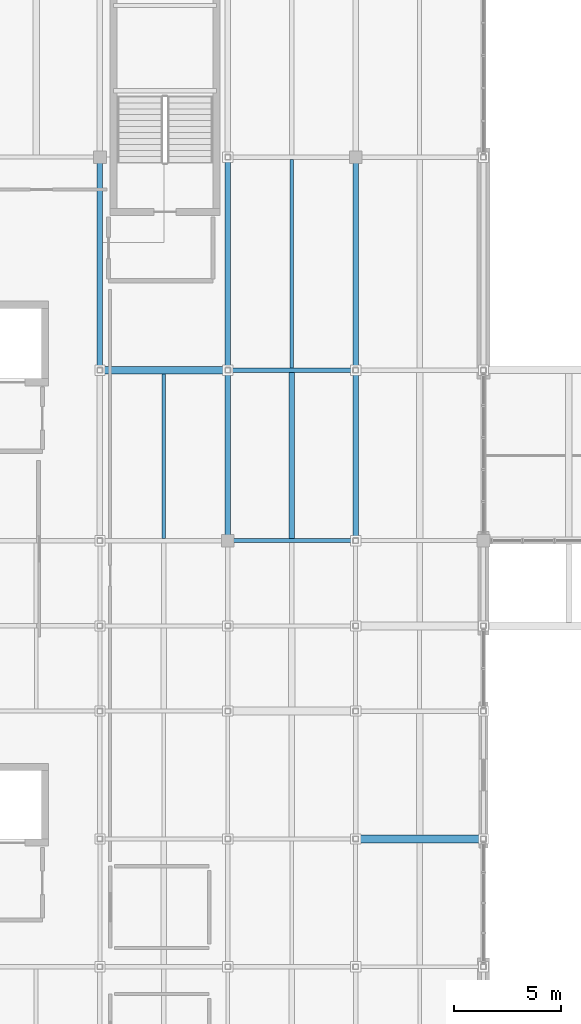
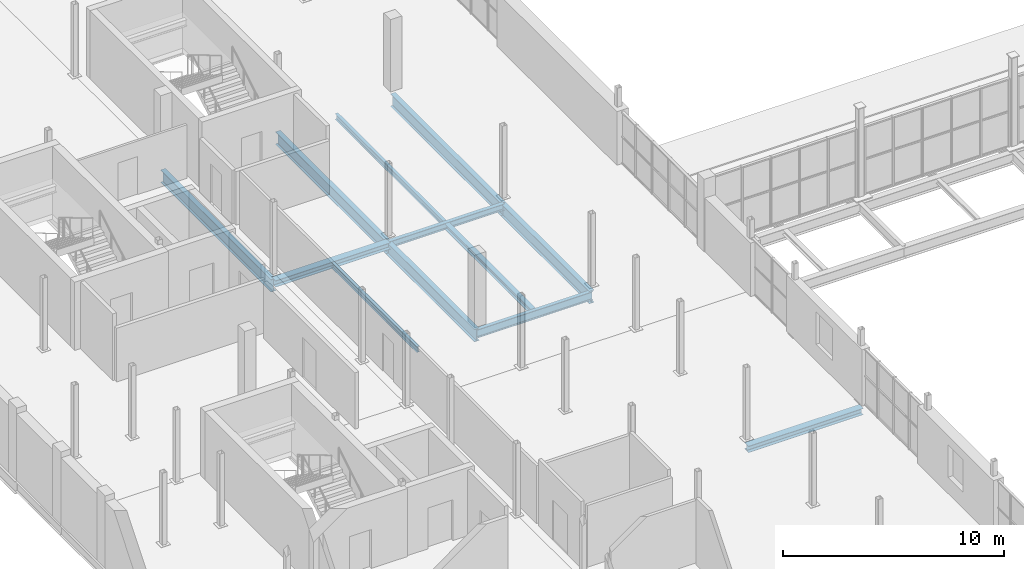
# One storey, part 29 of 96: 12 beams.
"""IFC4 building model written with IfcOpenShell, lengths in metres."""

from ifc_helpers import new_model, si_unit, direction, frame, origin, origin_2d, place, context, subcontext, project, spatial, i_section, extrude, material, material_profile, profile_set, type_object, element, save


model = new_model("IFC4")

# Units and contexts
model_context = context("Model", 3, precision=1e-05, world=origin(), true_north=direction((0.0, 1.0)))
body_context = subcontext(model_context, "Body", "Model", "MODEL_VIEW")
ifc_project = project(units=[si_unit("LENGTHUNIT", "METRE"), si_unit("AREAUNIT", "SQUARE_METRE"), si_unit("VOLUMEUNIT", "CUBIC_METRE"), si_unit("PLANEANGLEUNIT", "RADIAN"), si_unit("MASSUNIT", "GRAM", prefix="KILO")], contexts=[model_context])

# Site, building, storey
site_placement = place(None, origin())
site = spatial("IfcSite", under=ifc_project, at=site_placement, CompositionType="ELEMENT")
building_placement = place(site_placement, origin())
building = spatial("IfcBuilding", under=site, at=building_placement, Name="Verrall Gate Interchange", CompositionType="ELEMENT")
storey_placement = place(building_placement, frame((0.0, 0.0, 11.39990234375)))
storey = spatial("IfcBuildingStorey", under=building, at=storey_placement, Name="L03", CompositionType="ELEMENT", Elevation=11.39990234375)

# Beams
ifc_material_1 = material(Name="Structural Steel CSA G40.21 350WT Cat 4", Category="steel")
ifc_material_profile_1 = material_profile(ifc_material_1, i_section(OverallWidth=0.256103515625, OverallDepth=0.693115234375, WebThickness=0.01318359375, FlangeThickness=0.02001953125, FilletRadius=0.01611328125, at=origin_2d()), Name="W690x170")
ifc_profile_set_1 = profile_set([ifc_material_profile_1], Name="Structural Steel CSA G40.21 350WT Cat 4")
beam_type_1 = type_object("IfcBeamType", Name="B-07 Structural Beam W690x170", PredefinedType="BEAM", material=ifc_profile_set_1)
beam_1_placement = place(storey_placement, frame((18.0, 56.0, -0.676513671875), z_axis=(0.0, 1.0, 0.0), x_axis=(-1.0, 0.0, 0.0)))
element("IfcBeam", 1, at=beam_1_placement, inside=storey, type_object=beam_type_1, Name="L03 Girder BM-L03-2226 (B-07)", PredefinedType="BEAM", context=body_context, shape_type="SweptSolid", body=[
    extrude(i_section(OverallWidth=0.256103515625, OverallDepth=0.693115234375, WebThickness=0.01318359375, FlangeThickness=0.02001953125, FilletRadius=0.01611328125, at=origin_2d()), origin(), (0.0, 0.0, 1.0), 10.0),
])
beam_2_placement = place(storey_placement, frame((24.0, 48.0, -0.676513671875), z_axis=(0.0, 1.0, 0.0), x_axis=(-1.0, 0.0, 0.0)))
element("IfcBeam", 2, at=beam_2_placement, inside=storey, type_object=beam_type_1, Name="L03 Girder BM-L03-2239 (B-07)", PredefinedType="BEAM", context=body_context, shape_type="SweptSolid", body=[
    extrude(i_section(OverallWidth=0.256103515625, OverallDepth=0.693115234375, WebThickness=0.01318359375, FlangeThickness=0.02001953125, FilletRadius=0.01611328125, at=origin_2d()), origin(), (0.0, 0.0, 1.0), 8.0),
])
beam_3_placement = place(storey_placement, frame((24.0, 56.0, -0.676513671875), z_axis=(0.0, 1.0, 0.0), x_axis=(-1.0, 0.0, 0.0)))
element("IfcBeam", 3, at=beam_3_placement, inside=storey, type_object=beam_type_1, Name="L03 Girder BM-L03-2240 (B-07)", PredefinedType="BEAM", context=body_context, shape_type="SweptSolid", body=[
    extrude(i_section(OverallWidth=0.256103515625, OverallDepth=0.693115234375, WebThickness=0.01318359375, FlangeThickness=0.02001953125, FilletRadius=0.01611328125, at=origin_2d()), origin(), (0.0, 0.0, 1.0), 10.0),
])
beam_4_placement = place(storey_placement, frame((30.0, 48.0, -0.676513671875), z_axis=(0.0, 1.0, 0.0), x_axis=(-1.0, 0.0, 0.0)))
element("IfcBeam", 4, at=beam_4_placement, inside=storey, type_object=beam_type_1, Name="L03 Girder BM-L03-2253 (B-07)", PredefinedType="BEAM", context=body_context, shape_type="SweptSolid", body=[
    extrude(i_section(OverallWidth=0.256103515625, OverallDepth=0.693115234375, WebThickness=0.01318359375, FlangeThickness=0.02001953125, FilletRadius=0.01611328125, at=origin_2d()), origin(), (0.0, 0.0, 1.0), 8.0),
])
beam_5_placement = place(storey_placement, frame((30.0, 56.0, -0.676513671875), z_axis=(0.0, 1.0, 0.0), x_axis=(-1.0, 0.0, 0.0)))
element("IfcBeam", 5, at=beam_5_placement, inside=storey, type_object=beam_type_1, Name="L03 Girder BM-L03-2254 (B-07)", PredefinedType="BEAM", context=body_context, shape_type="SweptSolid", body=[
    extrude(i_section(OverallWidth=0.256103515625, OverallDepth=0.693115234375, WebThickness=0.01318359375, FlangeThickness=0.02001953125, FilletRadius=0.01611328125, at=origin_2d()), origin(), (0.0, 0.0, 1.0), 10.0),
])
ifc_material_2 = material(Name="Structural Steel CSA G40.21 350W", Category="steel")
ifc_material_profile_2 = material_profile(ifc_material_2, i_section(OverallWidth=0.19189453125, OverallDepth=0.462890625, WebThickness=0.010498046875, FlangeThickness=0.017578125, FilletRadius=0.012939453125, at=origin_2d()), Name="W460x89")
ifc_profile_set_2 = profile_set([ifc_material_profile_2], Name="Structural Steel CSA G40.21 350W")
beam_type_2 = type_object("IfcBeamType", Name="B-11 Structural Beam W460x89", PredefinedType="BEAM", material=ifc_profile_set_2)
beam_6_placement = place(storey_placement, frame((24.0, 48.0, -0.5615234375), z_axis=(1.0, 0.0, 0.0), x_axis=(0.0, 1.0, 0.0)))
element("IfcBeam", 6, at=beam_6_placement, inside=storey, type_object=beam_type_2, Name="L03 Girder BM-L03-2108 (B-11)", PredefinedType="BEAM", context=body_context, shape_type="SweptSolid", body=[
    extrude(i_section(OverallWidth=0.19189453125, OverallDepth=0.462890625, WebThickness=0.010498046875, FlangeThickness=0.017578125, FilletRadius=0.012939453125, at=origin_2d()), origin(), (0.0, 0.0, 1.0), 6.0),
])
ifc_material_3 = material(Name="Structural Steel CSA G40.21 350W", Category="steel")
ifc_material_profile_3 = material_profile(ifc_material_3, i_section(OverallWidth=0.368896484375, OverallDepth=0.35595703125, WebThickness=0.01123046875, FlangeThickness=0.01806640625, FilletRadius=0.014892578125, at=origin_2d()), Name="W360x134")
ifc_profile_set_3 = profile_set([ifc_material_profile_3], Name="Structural Steel CSA G40.21 350W")
beam_type_3 = type_object("IfcBeamType", Name="B-13 Structural Beam W360x134", PredefinedType="BEAM", material=ifc_profile_set_3)
for number, where, z_axis, x_axis, name in (
    (7, (30.0, 34.0, -0.5078125), (1.0, 0.0, 0.0), (0.0, 1.0, 0.0), "L03 Girder BM-L03-2069 (B-13)"),
    (8, (18.0, 56.0, -0.5078125), (1.0, 0.0, 0.0), (0.0, 1.0, 0.0), "L03 Girder BM-L03-2129 (B-13)"),
):
    element("IfcBeam", number, at=place(storey_placement, frame(where, z_axis=z_axis, x_axis=x_axis)), inside=storey, type_object=beam_type_3, Name=name, PredefinedType="BEAM", context=body_context, shape_type="SweptSolid", body=[
        extrude(i_section(OverallWidth=0.368896484375, OverallDepth=0.35595703125, WebThickness=0.01123046875, FlangeThickness=0.01806640625, FilletRadius=0.014892578125, at=origin_2d()), origin(), (0.0, 0.0, 1.0), 6.0),
    ])
ifc_material_4 = material(Name="Structural Steel CSA G40.21 350W", Category="steel")
ifc_material_profile_4 = material_profile(ifc_material_4, i_section(OverallWidth=0.205078125, OverallDepth=0.35400390625, WebThickness=0.009521484375, FlangeThickness=0.016845703125, FilletRadius=0.012939453125, at=origin_2d()), Name="W360x79")
ifc_profile_set_4 = profile_set([ifc_material_profile_4], Name="Structural Steel CSA G40.21 350W")
beam_type_4 = type_object("IfcBeamType", Name="B-14 Structural Beam W360x79", PredefinedType="BEAM", material=ifc_profile_set_4)
beam_7_placement = place(storey_placement, frame((24.0, 56.0, -0.5068359375), z_axis=(1.0, 0.0, 0.0), x_axis=(0.0, 1.0, 0.0)))
element("IfcBeam", 9, at=beam_7_placement, inside=storey, type_object=beam_type_4, Name="L03 Girder BM-L03-2130 (B-14)", PredefinedType="BEAM", context=body_context, shape_type="SweptSolid", body=[
    extrude(i_section(OverallWidth=0.205078125, OverallDepth=0.35400390625, WebThickness=0.009521484375, FlangeThickness=0.016845703125, FilletRadius=0.012939453125, at=origin_2d()), origin(), (0.0, 0.0, 1.0), 6.0),
])
ifc_material_5 = material(Name="Structural Steel CSA G40.21 350W", Category="steel")
ifc_material_profile_5 = material_profile(ifc_material_5, i_section(OverallWidth=0.25390625, OverallDepth=0.305908203125, WebThickness=0.0087890625, FlangeThickness=0.0146484375, FilletRadius=0.012939453125, at=origin_2d()), Name="W310x79")
ifc_profile_set_5 = profile_set([ifc_material_profile_5], Name="Structural Steel CSA G40.21 350W")
beam_type_5 = type_object("IfcBeamType", Name="J-03 Floor Joist W310x79", PredefinedType="JOIST", material=ifc_profile_set_5)
beam_8_placement = place(storey_placement, frame((27.0, 48.095947265625, -0.48291015625), z_axis=(0.0, 1.0, 0.0), x_axis=(-1.0, 0.0, 0.0)))
element("IfcBeam", 10, at=beam_8_placement, inside=storey, type_object=beam_type_5, Name="L03 Secondary Floor Joist JST-L03-2481", PredefinedType="JOIST", context=body_context, shape_type="SweptSolid", body=[
    extrude(i_section(OverallWidth=0.25390625, OverallDepth=0.305908203125, WebThickness=0.0087890625, FlangeThickness=0.0146484375, FilletRadius=0.012939453125, at=origin_2d()), origin(), (0.0, 0.0, 1.0), 7.801513671875),
])
ifc_material_6 = material(Name="Structural Steel CSA G40.21 350W", Category="steel")
ifc_material_profile_6 = material_profile(ifc_material_6, i_section(OverallWidth=0.1650390625, OverallDepth=0.31005859375, WebThickness=0.005859375, FlangeThickness=0.009765625, FilletRadius=0.010009765625, at=origin_2d()), Name="W310x39")
ifc_profile_set_6 = profile_set([ifc_material_profile_6], Name="Structural Steel CSA G40.21 350W")
beam_type_6 = type_object("IfcBeamType", Name="J-04 Floor Joist W310x39", PredefinedType="JOIST", material=ifc_profile_set_6)
beam_9_placement = place(storey_placement, frame((21.0, 48.10546875, -0.48486328125), z_axis=(0.0, 1.0, 0.0), x_axis=(-1.0, 0.0, 0.0)))
element("IfcBeam", 11, at=beam_9_placement, inside=storey, type_object=beam_type_6, Name="L03 Secondary Floor Joist JST-L03-2480", PredefinedType="JOIST", context=body_context, shape_type="SweptSolid", body=[
    extrude(i_section(OverallWidth=0.1650390625, OverallDepth=0.31005859375, WebThickness=0.005859375, FlangeThickness=0.009765625, FilletRadius=0.010009765625, at=origin_2d()), origin(), (0.0, 0.0, 1.0), 7.7099609375),
])
beam_10_placement = place(storey_placement, frame((27.0, 56.1025390625, -0.48486328125), z_axis=(0.0, 1.0, 0.0), x_axis=(-1.0, 0.0, 0.0)))
element("IfcBeam", 12, at=beam_10_placement, inside=storey, type_object=beam_type_6, Name="L03 Secondary Floor Joist JST-L03-2502", PredefinedType="JOIST", context=body_context, shape_type="SweptSolid", body=[
    extrude(i_section(OverallWidth=0.1650390625, OverallDepth=0.31005859375, WebThickness=0.005859375, FlangeThickness=0.009765625, FilletRadius=0.010009765625, at=origin_2d()), origin(), (0.0, 0.0, 1.0), 9.794921875),
])

save(model, "model.ifc")
